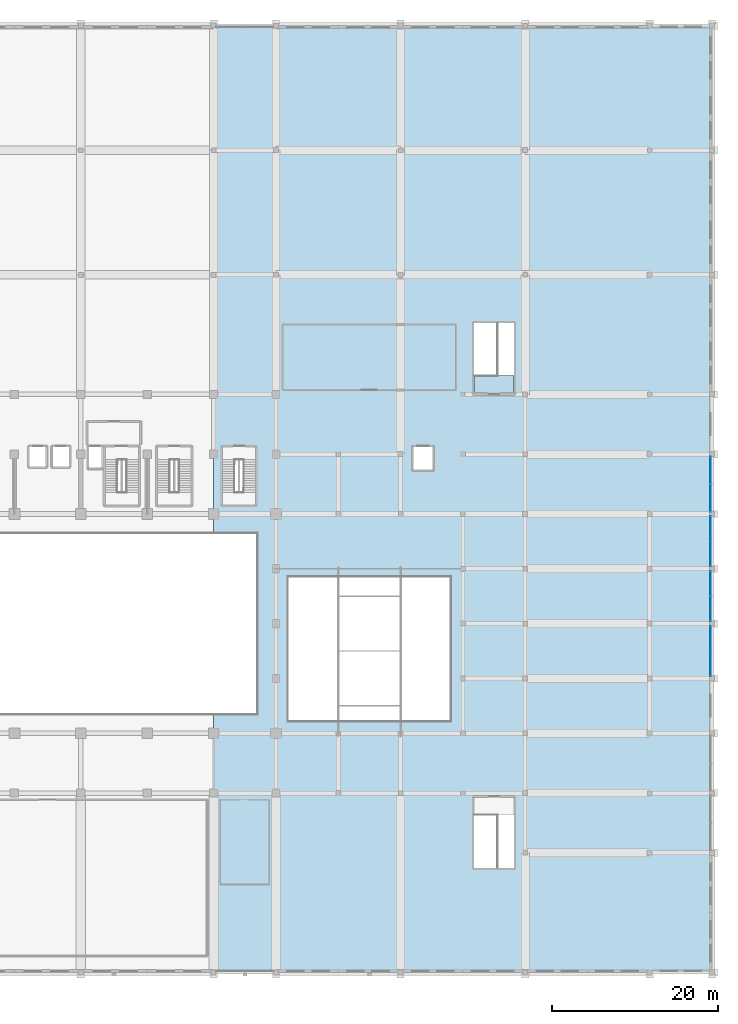
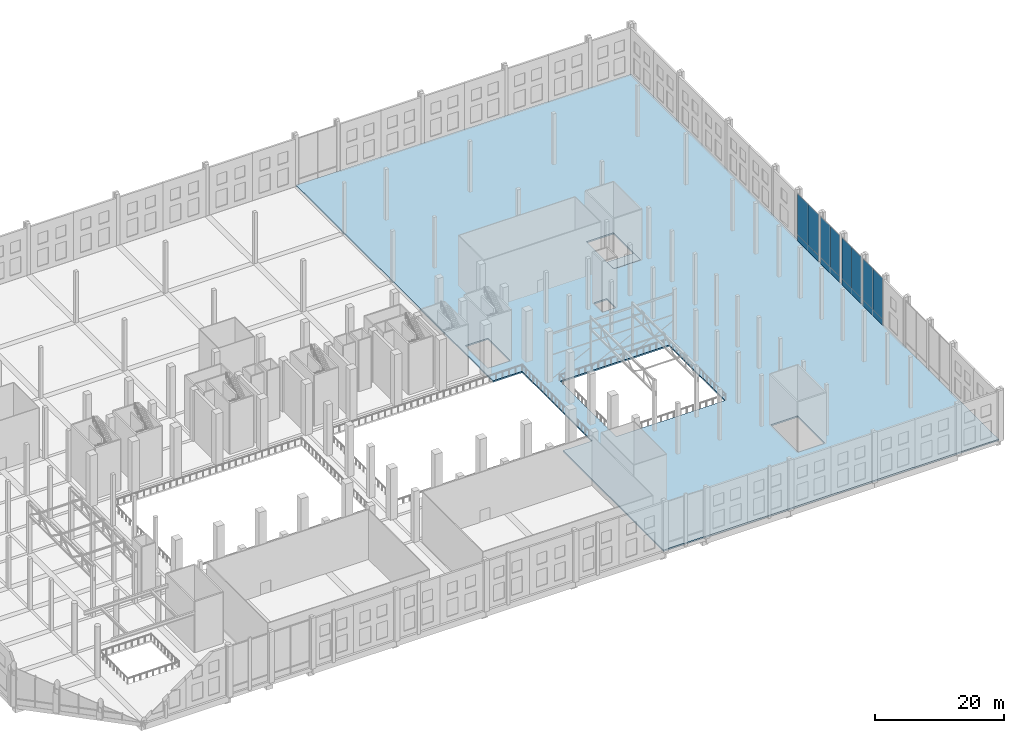
# One storey, part 58 of 80: 12 plates, 2 slabs, 4 elements without a shape of their own.
"""IFC4 building model written with IfcOpenShell, lengths in metres."""

from ifc_helpers import new_model, si_unit, direction, frame, origin, origin_2d, place, context, subcontext, project, spatial, polyline, rectangle, outline, extrude, material, layer, layer_set, type_object, element, aggregate, save


model = new_model("IFC4")

# Units and contexts
model_context = context("Model", 3, precision=1e-05, world=origin(), true_north=direction((0.0, 1.0)))
body_context = subcontext(model_context, "Body", "Model", "MODEL_VIEW")
ifc_project = project(units=[si_unit("LENGTHUNIT", "METRE"), si_unit("AREAUNIT", "SQUARE_METRE"), si_unit("VOLUMEUNIT", "CUBIC_METRE"), si_unit("PLANEANGLEUNIT", "RADIAN"), si_unit("MASSUNIT", "GRAM", prefix="KILO")], contexts=[model_context])

# Site, building, storey
site_placement = place(None, origin())
site = spatial("IfcSite", under=ifc_project, at=site_placement, CompositionType="ELEMENT")
building_placement = place(site_placement, origin())
building = spatial("IfcBuilding", under=site, at=building_placement, Name="Akrevak Sports Hall", CompositionType="ELEMENT")
storey_placement = place(building_placement, frame((0.0, 0.0, 14.0)))
storey = spatial("IfcBuildingStorey", under=building, at=storey_placement, Name="L03", CompositionType="ELEMENT", Elevation=14.0)

# Curtain wall, plates
ifc_material_1 = material(Name="Anodized Bronze Aluminium & Low-E Glass", Category="aluminium")
curtain_wall_type = type_object("IfcCurtainWallType", Name="ARC-CW-POD-64x94", PredefinedType="NOTDEFINED", material=ifc_material_1)
curtain_wall_1_placement = place(storey_placement, origin())
curtain_wall_1 = element("IfcCurtainWall", 1, at=curtain_wall_1_placement, inside=storey, type_object=curtain_wall_type, Name="Curtain Wall CW-L03-E06", PredefinedType="NOTDEFINED")
ifc_material_2 = material(Name="Double Low-E Tempered Glass", Category="glass")
ifc_layer_1 = layer(ifc_material_2, 0.035888671875, Name="Double Low-E Tempered Glass")
ifc_layer_set_1 = layer_set([ifc_layer_1], Name="Double Low-E Tempered Glass")
plate_type_1 = type_object("IfcPlateType", Name="ARC-CWP-GLZ-36", PredefinedType="CURTAIN_PANEL", material=ifc_layer_set_1)
plate_1_placement = place(storey_placement, frame((167.830078125, 37.18115234375, 1.14990234375), z_axis=(0.0, 0.0, 1.0), x_axis=(0.0, 1.0, 0.0)))
plate_1 = element("IfcPlate", 2, at=plate_1_placement, type_object=plate_type_1, Name="Vision Glass Panel CW-L03-E06-G1", PredefinedType="CURTAIN_PANEL", context=body_context, shape_type="SweptSolid", body=[
    extrude(rectangle(XDim=3.012451171875, YDim=0.035888671875, at=origin_2d()), origin(), (0.0, 0.0, 1.0), 7.77001953125),
])
plate_2_placement = place(storey_placement, frame((167.830078125, 40.19384765625, 1.14990234375), z_axis=(0.0, 0.0, 1.0), x_axis=(0.0, 1.0, 0.0)))
plate_2 = element("IfcPlate", 3, at=plate_2_placement, type_object=plate_type_1, Name="Vision Glass Panel CW-L03-E06-G2", PredefinedType="CURTAIN_PANEL", context=body_context, shape_type="SweptSolid", body=[
    extrude(rectangle(XDim=3.012451171875, YDim=0.035888671875, at=origin_2d()), origin(), (0.0, 0.0, 1.0), 7.77001953125),
])

curtain_wall_2_placement = place(storey_placement, origin())
curtain_wall_2 = element("IfcCurtainWall", 4, at=curtain_wall_2_placement, inside=storey, type_object=curtain_wall_type, Name="Curtain Wall CW-L03-E07", PredefinedType="NOTDEFINED")
plate_3_placement = place(storey_placement, frame((167.830078125, 43.800048828125, 1.14990234375), z_axis=(0.0, 0.0, 1.0), x_axis=(0.0, 1.0, 0.0)))
plate_3 = element("IfcPlate", 5, at=plate_3_placement, type_object=plate_type_1, Name="Vision Glass Panel CW-L03-E07-G1", PredefinedType="CURTAIN_PANEL", context=body_context, shape_type="SweptSolid", body=[
    extrude(rectangle(XDim=3.0, YDim=0.035888671875, at=origin_2d()), origin(), (0.0, 0.0, 1.0), 7.77001953125),
])
plate_4_placement = place(storey_placement, frame((167.830078125, 46.800048828125, 1.14990234375), z_axis=(0.0, 0.0, 1.0), x_axis=(0.0, 1.0, 0.0)))
plate_4 = element("IfcPlate", 6, at=plate_4_placement, type_object=plate_type_1, Name="Vision Glass Panel CW-L03-E07-G2", PredefinedType="CURTAIN_PANEL", context=body_context, shape_type="SweptSolid", body=[
    extrude(rectangle(XDim=3.0, YDim=0.035888671875, at=origin_2d()), origin(), (0.0, 0.0, 1.0), 7.77001953125),
])

curtain_wall_3_placement = place(storey_placement, origin())
curtain_wall_3 = element("IfcCurtainWall", 7, at=curtain_wall_3_placement, inside=storey, type_object=curtain_wall_type, Name="Curtain Wall CW-L03-E08", PredefinedType="NOTDEFINED")
plate_5_placement = place(storey_placement, frame((167.830078125, 50.40625, 1.14990234375), z_axis=(0.0, 0.0, 1.0), x_axis=(0.0, 1.0, 0.0)))
plate_5 = element("IfcPlate", 8, at=plate_5_placement, type_object=plate_type_1, Name="Vision Glass Panel CW-L03-E08-G1", PredefinedType="CURTAIN_PANEL", context=body_context, shape_type="SweptSolid", body=[
    extrude(rectangle(XDim=3.012451171875, YDim=0.035888671875, at=origin_2d()), origin(), (0.0, 0.0, 1.0), 7.77001953125),
])
plate_6_placement = place(storey_placement, frame((167.830078125, 53.418701171875, 1.14990234375), z_axis=(0.0, 0.0, 1.0), x_axis=(0.0, 1.0, 0.0)))
plate_6 = element("IfcPlate", 9, at=plate_6_placement, type_object=plate_type_1, Name="Vision Glass Panel CW-L03-E08-G2", PredefinedType="CURTAIN_PANEL", context=body_context, shape_type="SweptSolid", body=[
    extrude(rectangle(XDim=3.012451171875, YDim=0.035888671875, at=origin_2d()), origin(), (0.0, 0.0, 1.0), 7.77001953125),
])

curtain_wall_4_placement = place(storey_placement, origin())
curtain_wall_4 = element("IfcCurtainWall", 10, at=curtain_wall_4_placement, inside=storey, type_object=curtain_wall_type, Name="Curtain Wall CW-L03-E09", PredefinedType="NOTDEFINED")
plate_7_placement = place(storey_placement, frame((167.830078125, 57.13134765625, 1.14990234375), z_axis=(0.0, 0.0, 1.0), x_axis=(0.0, 1.0, 0.0)))
plate_7 = element("IfcPlate", 11, at=plate_7_placement, type_object=plate_type_1, Name="Vision Glass Panel CW-L03-E09-G1", PredefinedType="CURTAIN_PANEL", context=body_context, shape_type="SweptSolid", body=[
    extrude(rectangle(XDim=3.3125, YDim=0.035888671875, at=origin_2d()), origin(), (0.0, 0.0, 1.0), 7.77001953125),
])
plate_8_placement = place(storey_placement, frame((167.830078125, 60.44384765625, 1.14990234375), z_axis=(0.0, 0.0, 1.0), x_axis=(0.0, 1.0, 0.0)))
plate_8 = element("IfcPlate", 12, at=plate_8_placement, type_object=plate_type_1, Name="Vision Glass Panel CW-L03-E09-G2", PredefinedType="CURTAIN_PANEL", context=body_context, shape_type="SweptSolid", body=[
    extrude(rectangle(XDim=3.3125, YDim=0.035888671875, at=origin_2d()), origin(), (0.0, 0.0, 1.0), 7.77001953125),
])

# Plate
ifc_material_3 = material(Name="Insulated Bronze Spandrel Panel", Category="aluminium")
ifc_layer_2 = layer(ifc_material_3, 0.0439453125, Name="Insulated Bronze Spandrel Panel")
ifc_layer_set_2 = layer_set([ifc_layer_2], Name="Insulated Bronze Spandrel Panel")
plate_type_2 = type_object("IfcPlateType", Name="ARC-CWP-SPD-44", PredefinedType="CURTAIN_PANEL", material=ifc_layer_set_2)
plate_9_placement = place(storey_placement, frame((167.830078125, 38.6875, 0.0), z_axis=(0.0, 0.0, 1.0), x_axis=(0.0, 1.0, 0.0)))
plate_9 = element("IfcPlate", 13, at=plate_9_placement, type_object=plate_type_2, Name="Insulated Spandrel Panel CW-L03-E06-S1", PredefinedType="CURTAIN_PANEL", context=body_context, shape_type="SweptSolid", body=[
    extrude(rectangle(XDim=6.02490234375, YDim=0.0439453125, at=origin_2d()), origin(), (0.0, 0.0, 1.0), 1.14990234375),
])

aggregate(curtain_wall_1, [plate_1, plate_2, plate_9])

plate_10_placement = place(storey_placement, frame((167.830078125, 45.300048828125, 0.0), z_axis=(0.0, 0.0, 1.0), x_axis=(0.0, 1.0, 0.0)))
plate_10 = element("IfcPlate", 14, at=plate_10_placement, type_object=plate_type_2, Name="Insulated Spandrel Panel CW-L03-E07-S1", PredefinedType="CURTAIN_PANEL", context=body_context, shape_type="SweptSolid", body=[
    extrude(rectangle(XDim=6.0, YDim=0.0439453125, at=origin_2d()), origin(), (0.0, 0.0, 1.0), 1.14990234375),
])

aggregate(curtain_wall_2, [plate_3, plate_4, plate_10])

plate_11_placement = place(storey_placement, frame((167.830078125, 51.91259765625, 0.0), z_axis=(0.0, 0.0, 1.0), x_axis=(0.0, 1.0, 0.0)))
plate_11 = element("IfcPlate", 15, at=plate_11_placement, type_object=plate_type_2, Name="Insulated Spandrel Panel CW-L03-E08-S1", PredefinedType="CURTAIN_PANEL", context=body_context, shape_type="SweptSolid", body=[
    extrude(rectangle(XDim=6.02490234375, YDim=0.0439453125, at=origin_2d()), origin(), (0.0, 0.0, 1.0), 1.14990234375),
])

aggregate(curtain_wall_3, [plate_5, plate_6, plate_11])

plate_12_placement = place(storey_placement, frame((167.830078125, 58.78759765625, 0.0), z_axis=(0.0, 0.0, 1.0), x_axis=(0.0, 1.0, 0.0)))
plate_12 = element("IfcPlate", 16, at=plate_12_placement, type_object=plate_type_2, Name="Insulated Spandrel Panel CW-L03-E09-S1", PredefinedType="CURTAIN_PANEL", context=body_context, shape_type="SweptSolid", body=[
    extrude(rectangle(XDim=6.625, YDim=0.0439453125, at=origin_2d()), origin(), (0.0, 0.0, 1.0), 1.14990234375),
])

aggregate(curtain_wall_4, [plate_7, plate_8, plate_12])

# Slabs
ifc_material_4 = material(Name="Concrete C40/50", Category="concrete")
ifc_layer_3 = layer(ifc_material_4, 0.280029296875, Name="Concrete C40/50")
ifc_layer_set_3 = layer_set([ifc_layer_3], Name="Concrete C40/50")
slab_type_1 = type_object("IfcSlabType", Name="STR-SLB-FLR-280", PredefinedType="FLOOR", material=ifc_layer_set_3)
slab_1_placement = place(storey_placement, frame((0.0, 0.0, -0.280029296875)))
element("IfcSlab", 17, at=slab_1_placement, inside=storey, type_object=slab_type_1, Name="Structural Floor Slab L03-5.1", PredefinedType="FLOOR", context=body_context, shape_type="SweptSolid", body=[
    extrude(outline(polyline([(108.0, 114.0), (108.0, 52.85009765625), (113.199951171875, 52.85009765625), (113.199951171875, 31.14990234375), (108.0, 31.14990234375), (108.0, 0.0), (168.0, 0.0), (168.0, 114.0), (108.0, 114.0)]), holes=[polyline([(144.14990234375, 12.60009765625), (139.35009765625, 12.60009765625), (139.35009765625, 21.050048828125), (144.14990234375, 21.050048828125), (144.14990234375, 12.60009765625)]), polyline([(136.5, 30.300048828125), (117.0, 30.300048828125), (117.0, 47.60009765625), (136.5, 47.60009765625), (136.5, 30.300048828125)]), polyline([(113.050048828125, 63.25), (113.050048828125, 56.300048828125), (109.050048828125, 56.300048828125), (109.050048828125, 63.25), (113.050048828125, 63.25)]), polyline([(134.3798828125, 60.52001953125), (132.02001953125, 60.52001953125), (132.02001953125, 63.280029296875), (134.3798828125, 63.280029296875), (134.3798828125, 60.52001953125)]), polyline([(144.14990234375, 69.75), (139.35009765625, 69.75), (139.35009765625, 78.199951171875), (144.14990234375, 78.199951171875), (144.14990234375, 69.75)])]), origin(), (0.0, 0.0, 1.0), 0.280029296875),
])
ifc_layer_4 = layer(ifc_material_4, 0.219970703125, Name="Concrete C40/50")
ifc_layer_set_4 = layer_set([ifc_layer_4], Name="Concrete C40/50")
slab_type_2 = type_object("IfcSlabType", Name="STR-SLB-LAND-220", PredefinedType="LANDING", material=ifc_layer_set_4)
slab_2_placement = place(storey_placement, frame((0.0, 0.0, -0.219970703125)))
element("IfcSlab", 18, at=slab_2_placement, inside=storey, type_object=slab_type_2, Name="Stair ST8 Floor Landing (L03)", PredefinedType="LANDING", context=body_context, shape_type="SweptSolid", body=[
    extrude(outline(polyline([(139.35009765625, 69.75), (144.14990234375, 69.75), (144.14990234375, 71.85009765625), (139.35009765625, 71.85009765625), (139.35009765625, 69.75)])), origin(), (0.0, 0.0, 1.0), 0.219970703125),
])

save(model, "model.ifc")
